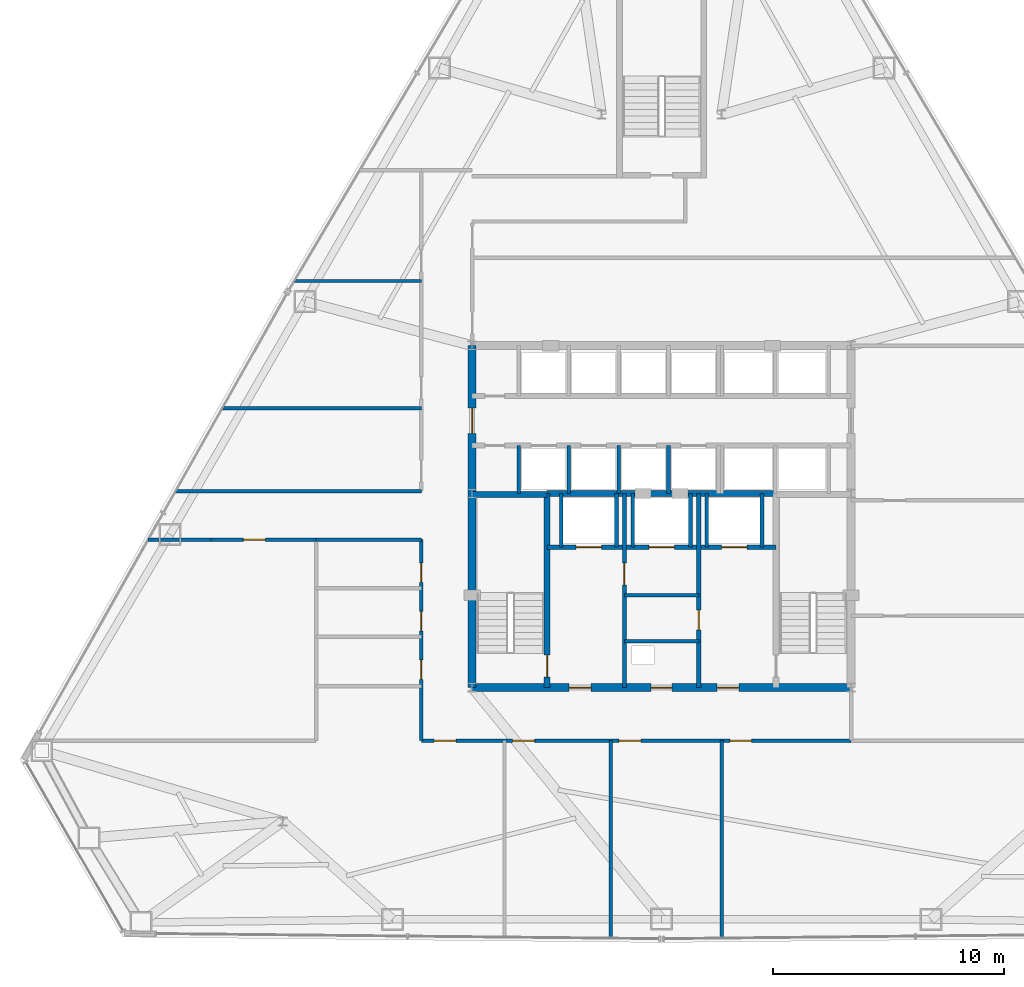
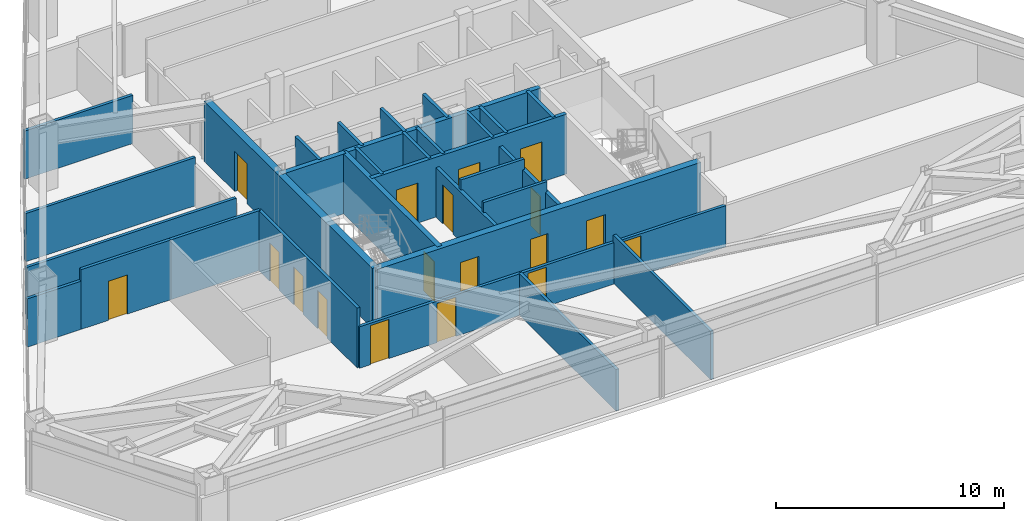
# One storey, part 10 of 13: 30 walls, 18 doors, 18 openings.
"""IFC4 building model written with IfcOpenShell, lengths in metres."""

from ifc_helpers import new_model, si_unit, direction, frame, frame_2d, origin, place, context, subcontext, project, spatial, rectangle, extrude, material, layer, layer_set, type_object, element, fill, save


model = new_model("IFC4")

# Units and contexts
model_context = context("Model", 3, precision=1e-05, world=origin(), true_north=direction((0.0, 1.0)))
body_context = subcontext(model_context, "Body", "Model", "MODEL_VIEW")
ifc_project = project(units=[si_unit("LENGTHUNIT", "METRE"), si_unit("AREAUNIT", "SQUARE_METRE"), si_unit("VOLUMEUNIT", "CUBIC_METRE"), si_unit("PLANEANGLEUNIT", "RADIAN"), si_unit("MASSUNIT", "GRAM", prefix="KILO")], contexts=[model_context])

# Site, building, storey
site_placement = place(None, origin())
site = spatial("IfcSite", under=ifc_project, at=site_placement, CompositionType="ELEMENT")
building_placement = place(site_placement, origin())
building = spatial("IfcBuilding", under=site, at=building_placement, Name="Varakhsha Concourse Tower", CompositionType="ELEMENT")
storey_placement = place(building_placement, frame((0.0, 0.0, 116.0)))
storey = spatial("IfcBuildingStorey", under=building, at=storey_placement, Name="L33", CompositionType="ELEMENT", Elevation=116.0)

# Wall, openings, doors
ifc_material_1 = material(Name="Concrete fc 65 MPa", Category="concrete")
ifc_layer_1 = layer(ifc_material_1, 0.35009765625, Name="WL-CORE-350")
ifc_layer_set_1 = layer_set([ifc_layer_1], Name="Concrete fc 65 MPa")
wall_type_1 = type_object("IfcWallType", Name="WL-CORE-350", PredefinedType="SHEAR", material=ifc_layer_set_1)
wall_1_placement = place(storey_placement, frame((31.800048828125, 16.39990234375, 0.0), z_axis=(0.0, 0.0, 1.0), x_axis=(1.0, 0.0, 0.0)))
wall_1 = element("IfcWall", 1, at=wall_1_placement, inside=storey, type_object=wall_type_1, Name="L33 Wall CWALL-S-L33", PredefinedType="SHEAR", context=body_context, shape_type="SweptSolid", body=[
    extrude(rectangle(XDim=16.39990234375, YDim=0.35009765625, at=frame_2d((8.199951171875, 0.0))), origin(), (0.0, 0.0, 1.0), 3.2099609375),
])
opening_1_placement = place(wall_1_placement, frame((7.75, 0.0, 0.0)))
opening_1 = element("IfcOpeningElement", 2, at=opening_1_placement, cuts=wall_1, Name="Opening DF-06", PredefinedType="OPENING", context=body_context, shape_type="SweptSolid", body=[
    extrude(rectangle(XDim=0.89990234375, YDim=2.10009765625, at=frame_2d((0.449951171875, 1.050048828125))), frame((0.0, 0.18505859375, 0.0), z_axis=(0.0, -1.0, 0.0), x_axis=(1.0, 0.0, 0.0)), (0.0, 0.0, 1.0), 0.3701171875),
])
opening_2_placement = place(wall_1_placement, frame((4.199951171875, 0.0, 0.0)))
opening_2 = element("IfcOpeningElement", 3, at=opening_2_placement, cuts=wall_1, Name="Opening DF-05", PredefinedType="OPENING", context=body_context, shape_type="SweptSolid", body=[
    extrude(rectangle(XDim=0.949951171875, YDim=2.10009765625, at=frame_2d((0.47509765625, 1.050048828125))), frame((0.0, 0.18505859375, 0.0), z_axis=(0.0, -1.0, 0.0), x_axis=(1.0, 0.0, 0.0)), (0.0, 0.0, 1.0), 0.3701171875),
])
opening_3_placement = place(wall_1_placement, frame((10.60009765625, 0.0, 0.0)))
opening_3 = element("IfcOpeningElement", 4, at=opening_3_placement, cuts=wall_1, Name="Opening DF-05", PredefinedType="OPENING", context=body_context, shape_type="SweptSolid", body=[
    extrude(rectangle(XDim=0.949951171875, YDim=2.10009765625, at=frame_2d((0.47509765625, 1.050048828125))), frame((0.0, 0.18505859375, 0.0), z_axis=(0.0, -1.0, 0.0), x_axis=(1.0, 0.0, 0.0)), (0.0, 0.0, 1.0), 0.3701171875),
])
ifc_material_2 = material(Name="Hollow Galvanised Steel Fire Door Assembly", Category="steel")
door_type_1 = type_object("IfcDoorType", Name="DR-FD60-900", OperationType="NOTDEFINED", PredefinedType="DOOR", material=ifc_material_2)
door_1_placement = place(opening_1_placement, origin())
door_1 = element("IfcDoor", 5, at=door_1_placement, inside=storey, type_object=door_type_1, Name="L33 Electrical Riser Door", OperationType="SINGLE_SWING_LEFT", OverallHeight=2.10009765625, OverallWidth=0.89990234375, PredefinedType="DOOR", context=body_context, shape_type="SweptSolid", body=[
    extrude(rectangle(XDim=0.89990234375, YDim=2.10009765625, at=frame_2d((0.449951171875, 1.050048828125))), frame((0.0, 0.02490234375, 0.0), z_axis=(0.0, -1.0, 0.0), x_axis=(1.0, 0.0, 0.0)), (0.0, 0.0, 1.0), 0.050048828125),
])
fill(opening_1, door_1)
door_type_2 = type_object("IfcDoorType", Name="DR-FD60-950", OperationType="NOTDEFINED", PredefinedType="DOOR", material=ifc_material_2)
door_2_placement = place(opening_2_placement, origin())
door_2 = element("IfcDoor", 6, at=door_2_placement, inside=storey, type_object=door_type_2, Name="L33 Firefighting Lobby West Door", OperationType="SINGLE_SWING_RIGHT", OverallHeight=2.10009765625, OverallWidth=0.949951171875, PredefinedType="DOOR", context=body_context, shape_type="SweptSolid", body=[
    extrude(rectangle(XDim=0.949951171875, YDim=2.10009765625, at=frame_2d((0.47509765625, 1.050048828125))), frame((0.0, 0.02490234375, 0.0), z_axis=(0.0, -1.0, 0.0), x_axis=(1.0, 0.0, 0.0)), (0.0, 0.0, 1.0), 0.050048828125),
])
fill(opening_2, door_2)
door_3_placement = place(opening_3_placement, origin())
door_3 = element("IfcDoor", 7, at=door_3_placement, inside=storey, type_object=door_type_2, Name="L33 Firefighting Lobby East Door", OperationType="SINGLE_SWING_LEFT", OverallHeight=2.10009765625, OverallWidth=0.949951171875, PredefinedType="DOOR", context=body_context, shape_type="SweptSolid", body=[
    extrude(rectangle(XDim=0.949951171875, YDim=2.10009765625, at=frame_2d((0.47509765625, 1.050048828125))), frame((0.0, 0.02490234375, 0.0), z_axis=(0.0, -1.0, 0.0), x_axis=(1.0, 0.0, 0.0)), (0.0, 0.0, 1.0), 0.050048828125),
])
fill(opening_3, door_3)

# Wall, opening, door
wall_2_placement = place(storey_placement, frame((31.800048828125, 16.39990234375, 0.0), z_axis=(0.0, 0.0, 1.0), x_axis=(0.0, 1.0, 0.0)))
wall_2 = element("IfcWall", 8, at=wall_2_placement, inside=storey, type_object=wall_type_1, Name="L33 Wall CWALL-W-L33", PredefinedType="SHEAR", context=body_context, shape_type="SweptSolid", body=[
    extrude(rectangle(XDim=14.800048828125, YDim=0.35009765625, at=frame_2d((7.39990234375, 0.0))), origin(), (0.0, 0.0, 1.0), 3.2099609375),
])
opening_4_placement = place(wall_2_placement, frame((11.0, 0.0, 0.0)))
opening_4 = element("IfcOpeningElement", 9, at=opening_4_placement, cuts=wall_2, Name="Opening DL-01", PredefinedType="OPENING", context=body_context, shape_type="SweptSolid", body=[
    extrude(rectangle(XDim=1.10009765625, YDim=2.14990234375, at=frame_2d((0.550048828125, 1.074951171875))), frame((0.0, 0.18505859375, 0.0), z_axis=(0.0, -1.0, 0.0), x_axis=(1.0, 0.0, 0.0)), (0.0, 0.0, 1.0), 0.3701171875),
])
ifc_material_3 = material(Name="Anodised Bronze Architectural Aluminium AA 6063-T6", Category="aluminium")
door_type_3 = type_object("IfcDoorType", Name="DR-LOB-1100", OperationType="NOTDEFINED", PredefinedType="DOOR", material=ifc_material_3)
door_4_placement = place(opening_4_placement, origin())
door_4 = element("IfcDoor", 10, at=door_4_placement, inside=storey, type_object=door_type_3, Name="L33 Lift Lobby West Concourse Door", OperationType="SINGLE_SWING_LEFT", OverallHeight=2.14990234375, OverallWidth=1.10009765625, PredefinedType="DOOR", context=body_context, shape_type="SweptSolid", body=[
    extrude(rectangle(XDim=1.10009765625, YDim=2.14990234375, at=frame_2d((0.550048828125, 1.074951171875))), frame((0.0, 0.02490234375, 0.0), z_axis=(0.0, -1.0, 0.0), x_axis=(1.0, 0.0, 0.0)), (0.0, 0.0, 1.0), 0.050048828125),
])
fill(opening_4, door_4)

ifc_material_4 = material(Name="Fire-Rated Type X Gypsum Partition Assembly", Category="gypsum")
ifc_layer_2 = layer(ifc_material_4, 0.179931640625, Name="WL-FFLOB-180")
ifc_layer_set_2 = layer_set([ifc_layer_2], Name="Fire-Rated Type X Gypsum Partition Assembly")
wall_type_2 = type_object("IfcWallType", Name="WL-FFLOB-180", PredefinedType="PARTITIONING", material=ifc_layer_set_2)
wall_3_placement = place(storey_placement, frame((38.389892578125, 16.39990234375, 0.0), z_axis=(0.0, 0.0, 1.0), x_axis=(0.0, 1.0, 0.0)))
wall_3 = element("IfcWall", 11, at=wall_3_placement, inside=storey, type_object=wall_type_2, Name="L33 Wall FFW-1E-L33", PredefinedType="PARTITIONING", context=body_context, shape_type="SweptSolid", body=[
    extrude(rectangle(XDim=8.400146484375, YDim=0.179931640625, at=frame_2d((4.2001953125, 0.0))), origin(), (0.0, 0.0, 1.0), 2.660888671875),
])
opening_5_placement = place(wall_3_placement, frame((4.449951171875, 0.0, 0.0)))
opening_5 = element("IfcOpeningElement", 12, at=opening_5_placement, cuts=wall_3, Name="Opening DF-05", PredefinedType="OPENING", context=body_context, shape_type="SweptSolid", body=[
    extrude(rectangle(XDim=0.949951171875, YDim=2.10009765625, at=frame_2d((0.47509765625, 1.050048828125))), frame((0.0, 0.099853515625, 0.0), z_axis=(0.0, -1.0, 0.0), x_axis=(1.0, 0.0, 0.0)), (0.0, 0.0, 1.0), 0.199951171875),
])
door_5_placement = place(opening_5_placement, origin())
door_5 = element("IfcDoor", 13, at=door_5_placement, inside=storey, type_object=door_type_2, Name="L33 Service Vestibule Door", OperationType="SINGLE_SWING_RIGHT", OverallHeight=2.10009765625, OverallWidth=0.949951171875, PredefinedType="DOOR", context=body_context, shape_type="SweptSolid", body=[
    extrude(rectangle(XDim=0.949951171875, YDim=2.10009765625, at=frame_2d((0.47509765625, 1.050048828125))), frame((0.0, 0.02490234375, 0.0), z_axis=(0.0, -1.0, 0.0), x_axis=(1.0, 0.0, 0.0)), (0.0, 0.0, 1.0), 0.050048828125),
])
fill(opening_5, door_5)

wall_4_placement = place(storey_placement, frame((41.610107421875, 16.39990234375, 0.0), z_axis=(0.0, 0.0, 1.0), x_axis=(0.0, 1.0, 0.0)))
wall_4 = element("IfcWall", 14, at=wall_4_placement, inside=storey, type_object=wall_type_2, Name="L33 Wall FFW-2W-L33", PredefinedType="PARTITIONING", context=body_context, shape_type="SweptSolid", body=[
    extrude(rectangle(XDim=8.400146484375, YDim=0.179931640625, at=frame_2d((4.2001953125, 0.0))), origin(), (0.0, 0.0, 1.0), 2.660888671875),
])
opening_6_placement = place(wall_4_placement, frame((2.5, 0.0, 0.0)))
opening_6 = element("IfcOpeningElement", 15, at=opening_6_placement, cuts=wall_4, Name="Opening DF-07", PredefinedType="OPENING", context=body_context, shape_type="SweptSolid", body=[
    extrude(rectangle(XDim=0.85009765625, YDim=2.050048828125, at=frame_2d((0.425048828125, 1.02490234375))), frame((0.0, 0.099853515625, 0.0), z_axis=(0.0, -1.0, 0.0), x_axis=(1.0, 0.0, 0.0)), (0.0, 0.0, 1.0), 0.199951171875),
])
door_type_4 = type_object("IfcDoorType", Name="DR-FD60-850", OperationType="NOTDEFINED", PredefinedType="DOOR", material=ifc_material_2)
door_6_placement = place(opening_6_placement, origin())
door_6 = element("IfcDoor", 16, at=door_6_placement, inside=storey, type_object=door_type_4, Name="L33 Telecoms Node Door", OperationType="SINGLE_SWING_LEFT", OverallHeight=2.050048828125, OverallWidth=0.85009765625, PredefinedType="DOOR", context=body_context, shape_type="SweptSolid", body=[
    extrude(rectangle(XDim=0.85009765625, YDim=2.050048828125, at=frame_2d((0.425048828125, 1.02490234375))), frame((0.0, 0.02490234375, 0.0), z_axis=(0.0, -1.0, 0.0), x_axis=(1.0, 0.0, 0.0)), (0.0, 0.0, 1.0), 0.050048828125),
])
fill(opening_6, door_6)

# Walls
ifc_layer_3 = layer(ifc_material_4, 0.14990234375, Name="WL-PART-150")
ifc_layer_set_3 = layer_set([ifc_layer_3], Name="Fire-Rated Type X Gypsum Partition Assembly")
wall_type_3 = type_object("IfcWallType", Name="WL-PART-150", PredefinedType="PARTITIONING", material=ifc_layer_set_3)
for number, where, z_axis, x_axis, name in (
    (17, (38.389892578125, 18.39990234375, 0.0), (0.0, 0.0, 1.0), (1.0, 0.0, 0.0), "L33 Wall RSW-H1-L33"),
    (18, (38.389892578125, 20.39990234375, 0.0), (0.0, 0.0, 1.0), (1.0, 0.0, 0.0), "L33 Wall RSW-H2-L33"),
):
    element("IfcWall", number, at=place(storey_placement, frame(where, z_axis=z_axis, x_axis=x_axis)), inside=storey, type_object=wall_type_3, Name=name, PredefinedType="PARTITIONING", context=body_context, shape_type="SweptSolid", body=[
        extrude(rectangle(XDim=3.22021484375, YDim=0.14990234375, at=frame_2d((1.610107421875, 0.0))), origin(), (0.0, 0.0, 1.0), 3.2099609375),
    ])

# Wall, openings, doors
wall_5_placement = place(storey_placement, frame((29.60009765625, 14.10009765625, 0.0), z_axis=(0.0, 0.0, 1.0), x_axis=(1.0, 0.0, 0.0)))
wall_5 = element("IfcWall", 19, at=wall_5_placement, inside=storey, type_object=wall_type_3, Name="L33 Wall CRW-S-L33", PredefinedType="PARTITIONING", context=body_context, shape_type="SweptSolid", body=[
    extrude(rectangle(XDim=18.599853515625, YDim=0.14990234375, at=frame_2d((9.2998046875, 0.0))), origin(), (0.0, 0.0, 1.0), 2.22509765625),
])
opening_7_placement = place(wall_5_placement, frame((0.550048828125, 0.0, 0.0)))
opening_7 = element("IfcOpeningElement", 20, at=opening_7_placement, cuts=wall_5, Name="Opening DF-05", PredefinedType="OPENING", context=body_context, shape_type="SweptSolid", body=[
    extrude(rectangle(XDim=0.949951171875, YDim=2.10009765625, at=frame_2d((0.47509765625, 1.050048828125))), frame((0.0, 0.0849609375, 0.0), z_axis=(0.0, -1.0, 0.0), x_axis=(1.0, 0.0, 0.0)), (0.0, 0.0, 1.0), 0.169921875),
])
opening_8_placement = place(wall_5_placement, frame((3.949951171875, 0.0, 0.0)))
opening_8 = element("IfcOpeningElement", 21, at=opening_8_placement, cuts=wall_5, Name="Opening DF-05", PredefinedType="OPENING", context=body_context, shape_type="SweptSolid", body=[
    extrude(rectangle(XDim=0.949951171875, YDim=2.10009765625, at=frame_2d((0.47509765625, 1.050048828125))), frame((0.0, 0.0849609375, 0.0), z_axis=(0.0, -1.0, 0.0), x_axis=(1.0, 0.0, 0.0)), (0.0, 0.0, 1.0), 0.169921875),
])
opening_9_placement = place(wall_5_placement, frame((8.550048828125, 0.0, 0.0)))
opening_9 = element("IfcOpeningElement", 22, at=opening_9_placement, cuts=wall_5, Name="Opening DF-05", PredefinedType="OPENING", context=body_context, shape_type="SweptSolid", body=[
    extrude(rectangle(XDim=0.949951171875, YDim=2.10009765625, at=frame_2d((0.47509765625, 1.050048828125))), frame((0.0, 0.0849609375, 0.0), z_axis=(0.0, -1.0, 0.0), x_axis=(1.0, 0.0, 0.0)), (0.0, 0.0, 1.0), 0.169921875),
])
opening_10_placement = place(wall_5_placement, frame((13.35009765625, 0.0, 0.0)))
opening_10 = element("IfcOpeningElement", 23, at=opening_10_placement, cuts=wall_5, Name="Opening DF-05", PredefinedType="OPENING", context=body_context, shape_type="SweptSolid", body=[
    extrude(rectangle(XDim=0.949951171875, YDim=2.10009765625, at=frame_2d((0.47509765625, 1.050048828125))), frame((0.0, 0.0849609375, 0.0), z_axis=(0.0, -1.0, 0.0), x_axis=(1.0, 0.0, 0.0)), (0.0, 0.0, 1.0), 0.169921875),
])
door_7_placement = place(opening_7_placement, origin())
door_7 = element("IfcDoor", 24, at=door_7_placement, inside=storey, type_object=door_type_2, Name="L33 Deposition Conference Room L33-S1 Door", OperationType="SINGLE_SWING_LEFT", OverallHeight=2.10009765625, OverallWidth=0.949951171875, PredefinedType="DOOR", context=body_context, shape_type="SweptSolid", body=[
    extrude(rectangle(XDim=0.949951171875, YDim=2.10009765625, at=frame_2d((0.47509765625, 1.050048828125))), frame((0.0, 0.02490234375, 0.0), z_axis=(0.0, -1.0, 0.0), x_axis=(1.0, 0.0, 0.0)), (0.0, 0.0, 1.0), 0.050048828125),
])
fill(opening_7, door_7)
door_8_placement = place(opening_8_placement, origin())
door_8 = element("IfcDoor", 25, at=door_8_placement, inside=storey, type_object=door_type_2, Name="L33 Senior Partner Chamber L33-S2 Door", OperationType="SINGLE_SWING_RIGHT", OverallHeight=2.10009765625, OverallWidth=0.949951171875, PredefinedType="DOOR", context=body_context, shape_type="SweptSolid", body=[
    extrude(rectangle(XDim=0.949951171875, YDim=2.10009765625, at=frame_2d((0.47509765625, 1.050048828125))), frame((0.0, 0.02490234375, 0.0), z_axis=(0.0, -1.0, 0.0), x_axis=(1.0, 0.0, 0.0)), (0.0, 0.0, 1.0), 0.050048828125),
])
fill(opening_8, door_8)
door_9_placement = place(opening_9_placement, origin())
door_9 = element("IfcDoor", 26, at=door_9_placement, inside=storey, type_object=door_type_2, Name="L33 Senior Partner Chamber L33-S3 Door", OperationType="SINGLE_SWING_LEFT", OverallHeight=2.10009765625, OverallWidth=0.949951171875, PredefinedType="DOOR", context=body_context, shape_type="SweptSolid", body=[
    extrude(rectangle(XDim=0.949951171875, YDim=2.10009765625, at=frame_2d((0.47509765625, 1.050048828125))), frame((0.0, 0.02490234375, 0.0), z_axis=(0.0, -1.0, 0.0), x_axis=(1.0, 0.0, 0.0)), (0.0, 0.0, 1.0), 0.050048828125),
])
fill(opening_9, door_9)
door_10_placement = place(opening_10_placement, origin())
door_10 = element("IfcDoor", 27, at=door_10_placement, inside=storey, type_object=door_type_2, Name="L33 Senior Partner Chamber L33-S4 Door", OperationType="SINGLE_SWING_RIGHT", OverallHeight=2.10009765625, OverallWidth=0.949951171875, PredefinedType="DOOR", context=body_context, shape_type="SweptSolid", body=[
    extrude(rectangle(XDim=0.949951171875, YDim=2.10009765625, at=frame_2d((0.47509765625, 1.050048828125))), frame((0.0, 0.02490234375, 0.0), z_axis=(0.0, -1.0, 0.0), x_axis=(1.0, 0.0, 0.0)), (0.0, 0.0, 1.0), 0.050048828125),
])
fill(opening_10, door_10)

wall_6_placement = place(storey_placement, frame((29.60009765625, 14.10009765625, 0.0), z_axis=(0.0, 0.0, 1.0), x_axis=(0.0, 1.0, 0.0)))
wall_6 = element("IfcWall", 28, at=wall_6_placement, inside=storey, type_object=wall_type_3, Name="L33 Wall CRW-WS-L33", PredefinedType="PARTITIONING", context=body_context, shape_type="SweptSolid", body=[
    extrude(rectangle(XDim=8.699951171875, YDim=0.14990234375, at=frame_2d((4.35009765625, 0.0))), origin(), (0.0, 0.0, 1.0), 3.2099609375),
])
opening_11_placement = place(wall_6_placement, frame((2.64990234375, 0.0, 0.0)))
opening_11 = element("IfcOpeningElement", 29, at=opening_11_placement, cuts=wall_6, Name="Opening DF-07", PredefinedType="OPENING", context=body_context, shape_type="SweptSolid", body=[
    extrude(rectangle(XDim=0.85009765625, YDim=2.050048828125, at=frame_2d((0.425048828125, 1.02490234375))), frame((0.0, 0.0849609375, 0.0), z_axis=(0.0, -1.0, 0.0), x_axis=(1.0, 0.0, 0.0)), (0.0, 0.0, 1.0), 0.169921875),
])
opening_12_placement = place(wall_6_placement, frame((4.75, 0.0, 0.0)))
opening_12 = element("IfcOpeningElement", 30, at=opening_12_placement, cuts=wall_6, Name="Opening DF-07", PredefinedType="OPENING", context=body_context, shape_type="SweptSolid", body=[
    extrude(rectangle(XDim=0.85009765625, YDim=2.050048828125, at=frame_2d((0.425048828125, 1.02490234375))), frame((0.0, 0.0849609375, 0.0), z_axis=(0.0, -1.0, 0.0), x_axis=(1.0, 0.0, 0.0)), (0.0, 0.0, 1.0), 0.169921875),
])
opening_13_placement = place(wall_6_placement, frame((6.85009765625, 0.0, 0.0)))
opening_13 = element("IfcOpeningElement", 31, at=opening_13_placement, cuts=wall_6, Name="Opening DF-07", PredefinedType="OPENING", context=body_context, shape_type="SweptSolid", body=[
    extrude(rectangle(XDim=0.85009765625, YDim=2.050048828125, at=frame_2d((0.425048828125, 1.02490234375))), frame((0.0, 0.0849609375, 0.0), z_axis=(0.0, -1.0, 0.0), x_axis=(1.0, 0.0, 0.0)), (0.0, 0.0, 1.0), 0.169921875),
])
door_11_placement = place(opening_11_placement, origin())
door_11 = element("IfcDoor", 32, at=door_11_placement, inside=storey, type_object=door_type_4, Name="L33 Men Restroom WC Door", OperationType="SINGLE_SWING_LEFT", OverallHeight=2.050048828125, OverallWidth=0.85009765625, PredefinedType="DOOR", context=body_context, shape_type="SweptSolid", body=[
    extrude(rectangle(XDim=0.85009765625, YDim=2.050048828125, at=frame_2d((0.425048828125, 1.02490234375))), frame((0.0, 0.02490234375, 0.0), z_axis=(0.0, -1.0, 0.0), x_axis=(1.0, 0.0, 0.0)), (0.0, 0.0, 1.0), 0.050048828125),
])
fill(opening_11, door_11)
door_12_placement = place(opening_12_placement, origin())
door_12 = element("IfcDoor", 33, at=door_12_placement, inside=storey, type_object=door_type_4, Name="L33 Women Restroom WC Door", OperationType="SINGLE_SWING_LEFT", OverallHeight=2.050048828125, OverallWidth=0.85009765625, PredefinedType="DOOR", context=body_context, shape_type="SweptSolid", body=[
    extrude(rectangle(XDim=0.85009765625, YDim=2.050048828125, at=frame_2d((0.425048828125, 1.02490234375))), frame((0.0, 0.02490234375, 0.0), z_axis=(0.0, -1.0, 0.0), x_axis=(1.0, 0.0, 0.0)), (0.0, 0.0, 1.0), 0.050048828125),
])
fill(opening_12, door_12)
door_13_placement = place(opening_13_placement, origin())
door_13 = element("IfcDoor", 34, at=door_13_placement, inside=storey, type_object=door_type_4, Name="L33 Accessible WC Door", OperationType="SINGLE_SWING_LEFT", OverallHeight=2.050048828125, OverallWidth=0.85009765625, PredefinedType="DOOR", context=body_context, shape_type="SweptSolid", body=[
    extrude(rectangle(XDim=0.85009765625, YDim=2.050048828125, at=frame_2d((0.425048828125, 1.02490234375))), frame((0.0, 0.02490234375, 0.0), z_axis=(0.0, -1.0, 0.0), x_axis=(1.0, 0.0, 0.0)), (0.0, 0.0, 1.0), 0.050048828125),
])
fill(opening_13, door_13)

# Walls
wall_7_placement = place(storey_placement, frame((17.775146484375, 22.800048828125, 0.0), z_axis=(0.0, 0.0, 1.0), x_axis=(1.0, 0.0, 0.0)))
element("IfcWall", 35, at=wall_7_placement, inside=storey, type_object=wall_type_3, Name="L33 Wall CRW-WWS-W-L33", PredefinedType="PARTITIONING", context=body_context, shape_type="SweptSolid", body=[
    extrude(rectangle(XDim=2.724853515625, YDim=0.14990234375, at=frame_2d((1.3623046875, 0.0))), origin(), (0.0, 0.0, 1.0), 2.589111328125),
])
wall_8_placement = place(storey_placement, frame((25.050048828125, 22.800048828125, 0.0), z_axis=(0.0, 0.0, 1.0), x_axis=(1.0, 0.0, 0.0)))
element("IfcWall", 36, at=wall_8_placement, inside=storey, type_object=wall_type_3, Name="L33 Wall CRW-WWS-E-L33", PredefinedType="PARTITIONING", context=body_context, shape_type="SweptSolid", body=[
    extrude(rectangle(XDim=4.550048828125, YDim=0.14990234375, at=frame_2d((2.27490234375, 0.0))), origin(), (0.0, 0.0, 1.0), 3.2099609375),
])
wall_9_placement = place(storey_placement, frame((18.959228515625, 24.89990234375, 0.0), z_axis=(0.0, 0.0, 1.0), x_axis=(1.0, 0.0, 0.0)))
element("IfcWall", 37, at=wall_9_placement, inside=storey, type_object=wall_type_3, Name="L33 Wall CRW-WWN-L33", PredefinedType="PARTITIONING", context=body_context, shape_type="SweptSolid", body=[
    extrude(rectangle(XDim=10.640869140625, YDim=0.14990234375, at=frame_2d((5.3203125, 0.0))), origin(), (0.0, 0.0, 1.0), 2.589111328125),
])
wall_10_placement = place(storey_placement, frame((37.800048828125, 5.54931640625, 0.0), z_axis=(0.0, 0.0, 1.0), x_axis=(0.0, 1.0, 0.0)))
element("IfcWall", 38, at=wall_10_placement, inside=storey, type_object=wall_type_3, Name="L33 Wall ODIV-S2-L33", PredefinedType="PARTITIONING", context=body_context, shape_type="SweptSolid", body=[
    extrude(rectangle(XDim=8.55078125, YDim=0.14990234375, at=frame_2d((4.275390625, 0.0))), origin(), (0.0, 0.0, 1.0), 2.22509765625),
])
wall_11_placement = place(storey_placement, frame((42.60009765625, 5.553466796875, 0.0), z_axis=(0.0, 0.0, 1.0), x_axis=(0.0, 1.0, 0.0)))
element("IfcWall", 39, at=wall_11_placement, inside=storey, type_object=wall_type_3, Name="L33 Wall ODIV-S3-L33", PredefinedType="PARTITIONING", context=body_context, shape_type="SweptSolid", body=[
    extrude(rectangle(XDim=8.546630859375, YDim=0.14990234375, at=frame_2d((4.2734375, 0.0))), origin(), (0.0, 0.0, 1.0), 2.589111328125),
])

# Wall, opening, door
wall_12_placement = place(storey_placement, frame((20.5, 22.800048828125, 0.0), z_axis=(0.0, 0.0, 1.0), x_axis=(1.0, 0.0, 0.0)))
wall_12 = element("IfcWall", 40, at=wall_12_placement, inside=storey, type_object=wall_type_3, Name="L33 Wall CRW-WWS-DOOR-L33", PredefinedType="PARTITIONING", context=body_context, shape_type="SweptSolid", body=[
    extrude(rectangle(XDim=4.550048828125, YDim=0.14990234375, at=frame_2d((2.27490234375, 0.0))), origin(), (0.0, 0.0, 1.0), 3.2099609375),
])
opening_14_placement = place(wall_12_placement, frame((1.39990234375, 0.0, 0.0)))
opening_14 = element("IfcOpeningElement", 41, at=opening_14_placement, cuts=wall_12, Name="Opening DF-05", PredefinedType="OPENING", context=body_context, shape_type="SweptSolid", body=[
    extrude(rectangle(XDim=0.949951171875, YDim=2.10009765625, at=frame_2d((0.47509765625, 1.050048828125))), frame((0.0, 0.0849609375, 0.0), z_axis=(0.0, -1.0, 0.0), x_axis=(1.0, 0.0, 0.0)), (0.0, 0.0, 1.0), 0.169921875),
])
door_14_placement = place(opening_14_placement, origin())
door_14 = element("IfcDoor", 42, at=door_14_placement, inside=storey, type_object=door_type_2, Name="L33 Legal Research Library L33-SW Door", OperationType="SINGLE_SWING_LEFT", OverallHeight=2.10009765625, OverallWidth=0.949951171875, PredefinedType="DOOR", context=body_context, shape_type="SweptSolid", body=[
    extrude(rectangle(XDim=0.949951171875, YDim=2.10009765625, at=frame_2d((0.47509765625, 1.050048828125))), frame((0.0, 0.02490234375, 0.0), z_axis=(0.0, -1.0, 0.0), x_axis=(1.0, 0.0, 0.0)), (0.0, 0.0, 1.0), 0.050048828125),
])
fill(opening_14, door_14)

# Walls
wall_13_placement = place(storey_placement, frame((20.989013671875, 28.5, 0.0), z_axis=(0.0, 0.0, 1.0), x_axis=(1.0, 0.0, 0.0)))
element("IfcWall", 43, at=wall_13_placement, inside=storey, type_object=wall_type_3, Name="L33 Wall ODIV-W1-L33", PredefinedType="PARTITIONING", context=body_context, shape_type="SweptSolid", body=[
    extrude(rectangle(XDim=8.611083984375, YDim=0.14990234375, at=frame_2d((4.3056640625, 0.0))), origin(), (0.0, 0.0, 1.0), 2.589111328125),
])
wall_14_placement = place(storey_placement, frame((24.1025390625, 34.0, 0.0), z_axis=(0.0, 0.0, 1.0), x_axis=(1.0, 0.0, 0.0)))
element("IfcWall", 44, at=wall_14_placement, inside=storey, type_object=wall_type_3, Name="L33 Wall ODIV-W2-L33", PredefinedType="PARTITIONING", context=body_context, shape_type="SweptSolid", body=[
    extrude(rectangle(XDim=5.49755859375, YDim=0.14990234375, at=frame_2d((2.748779296875, 0.0))), origin(), (0.0, 0.0, 1.0), 2.589111328125),
])

# Wall, openings, doors
ifc_layer_4 = layer(ifc_material_4, 0.199951171875, Name="WL-SHAFT-220")
ifc_layer_set_4 = layer_set([ifc_layer_4], Name="Fire-Rated Type X Gypsum Partition Assembly")
wall_type_4 = type_object("IfcWallType", Name="WL-SHAFT-220", PredefinedType="SOLIDWALL", material=ifc_layer_set_4)
wall_15_placement = place(storey_placement, frame((35.044921875, 22.47998046875, 0.0), z_axis=(0.0, 0.0, 1.0), x_axis=(1.0, 0.0, 0.0)))
wall_15 = element("IfcWall", 45, at=wall_15_placement, inside=storey, type_object=wall_type_4, Name="L33 Wall FFW-NH-L33", PredefinedType="SOLIDWALL", context=body_context, shape_type="SweptSolid", body=[
    extrude(rectangle(XDim=9.91015625, YDim=0.199951171875, at=frame_2d((4.955078125, 0.0))), origin(), (0.0, 0.0, 1.0), 3.2099609375),
])
opening_15_placement = place(wall_15_placement, frame((1.2548828125, 0.0, 0.0)))
opening_15 = element("IfcOpeningElement", 46, at=opening_15_placement, cuts=wall_15, Name="Opening LD-FFL-1", PredefinedType="OPENING", context=body_context, shape_type="SweptSolid", body=[
    extrude(rectangle(XDim=1.10009765625, YDim=2.14990234375, at=frame_2d((0.550048828125, 1.074951171875))), frame((0.0, 0.10986328125, 0.0), z_axis=(0.0, -1.0, 0.0), x_axis=(1.0, 0.0, 0.0)), (0.0, 0.0, 1.0), 0.219970703125),
])
opening_16_placement = place(wall_15_placement, frame((7.554931640625, 0.0, 0.0)))
opening_16 = element("IfcOpeningElement", 47, at=opening_16_placement, cuts=wall_15, Name="Opening LD-FFL-2", PredefinedType="OPENING", context=body_context, shape_type="SweptSolid", body=[
    extrude(rectangle(XDim=1.10009765625, YDim=2.14990234375, at=frame_2d((0.550048828125, 1.074951171875))), frame((0.0, 0.10986328125, 0.0), z_axis=(0.0, -1.0, 0.0), x_axis=(1.0, 0.0, 0.0)), (0.0, 0.0, 1.0), 0.219970703125),
])
opening_17_placement = place(wall_15_placement, frame((4.405029296875, 0.0, 0.0)))
opening_17 = element("IfcOpeningElement", 48, at=opening_17_placement, cuts=wall_15, Name="Opening LD-SVL-1", PredefinedType="OPENING", context=body_context, shape_type="SweptSolid", body=[
    extrude(rectangle(XDim=1.10009765625, YDim=2.14990234375, at=frame_2d((0.550048828125, 1.074951171875))), frame((0.0, 0.10986328125, 0.0), z_axis=(0.0, -1.0, 0.0), x_axis=(1.0, 0.0, 0.0)), (0.0, 0.0, 1.0), 0.219970703125),
])
ifc_material_5 = material(Name="Brushed Austenitic Stainless Steel AISI 316", Category="steel")
door_type_5 = type_object("IfcDoorType", Name="DR-LD-1100", OperationType="DOUBLE_DOOR_SLIDING", PredefinedType="DOOR", material=ifc_material_5)
door_15_placement = place(opening_15_placement, origin())
door_15 = element("IfcDoor", 49, at=door_15_placement, inside=storey, type_object=door_type_5, Name="Lift Landing Door FFL-1 L33", OperationType="DOUBLE_DOOR_SLIDING", OverallHeight=2.14990234375, OverallWidth=1.10009765625, PredefinedType="DOOR", context=body_context, shape_type="SweptSolid", body=[
    extrude(rectangle(XDim=1.10009765625, YDim=2.14990234375, at=frame_2d((0.550048828125, 1.074951171875))), frame((0.0, 0.02490234375, 0.0), z_axis=(0.0, -1.0, 0.0), x_axis=(1.0, 0.0, 0.0)), (0.0, 0.0, 1.0), 0.050048828125),
])
fill(opening_15, door_15)
door_16_placement = place(opening_16_placement, origin())
door_16 = element("IfcDoor", 50, at=door_16_placement, inside=storey, type_object=door_type_5, Name="Lift Landing Door FFL-2 L33", OperationType="DOUBLE_DOOR_SLIDING", OverallHeight=2.14990234375, OverallWidth=1.10009765625, PredefinedType="DOOR", context=body_context, shape_type="SweptSolid", body=[
    extrude(rectangle(XDim=1.10009765625, YDim=2.14990234375, at=frame_2d((0.550048828125, 1.074951171875))), frame((0.0, 0.02490234375, 0.0), z_axis=(0.0, -1.0, 0.0), x_axis=(1.0, 0.0, 0.0)), (0.0, 0.0, 1.0), 0.050048828125),
])
fill(opening_16, door_16)
door_17_placement = place(opening_17_placement, origin())
door_17 = element("IfcDoor", 51, at=door_17_placement, inside=storey, type_object=door_type_5, Name="Lift Landing Door SVL-1 L33", OperationType="DOUBLE_DOOR_SLIDING", OverallHeight=2.14990234375, OverallWidth=1.10009765625, PredefinedType="DOOR", context=body_context, shape_type="SweptSolid", body=[
    extrude(rectangle(XDim=1.10009765625, YDim=2.14990234375, at=frame_2d((0.550048828125, 1.074951171875))), frame((0.0, 0.02490234375, 0.0), z_axis=(0.0, -1.0, 0.0), x_axis=(1.0, 0.0, 0.0)), (0.0, 0.0, 1.0), 0.050048828125),
])
fill(opening_17, door_17)

# Walls
for number, where, z_axis, x_axis, name in (
    (52, (35.64990234375, 22.47998046875, 0.0), (0.0, 0.0, 1.0), (0.0, 1.0, 0.0), "L33 Wall SHW-FFL-1-W-L33"),
    (53, (38.050048828125, 22.47998046875, 0.0), (0.0, 0.0, 1.0), (0.0, 1.0, 0.0), "L33 Wall SHW-FFL-1-E-L33"),
    (54, (41.949951171875, 22.47998046875, 0.0), (0.0, 0.0, 1.0), (0.0, 1.0, 0.0), "L33 Wall SHW-FFL-2-W-L33"),
    (55, (44.35009765625, 22.47998046875, 0.0), (0.0, 0.0, 1.0), (0.0, 1.0, 0.0), "L33 Wall SHW-FFL-2-E-L33"),
    (56, (38.75, 22.47998046875, 0.0), (0.0, 0.0, 1.0), (0.0, 1.0, 0.0), "L33 Wall SHW-SVL-1-W-L33"),
    (57, (41.25, 22.47998046875, 0.0), (0.0, 0.0, 1.0), (0.0, 1.0, 0.0), "L33 Wall SHW-SVL-1-E-L33"),
):
    element("IfcWall", number, at=place(storey_placement, frame(where, z_axis=z_axis, x_axis=x_axis)), inside=storey, type_object=wall_type_4, Name=name, PredefinedType="SOLIDWALL", context=body_context, shape_type="SweptSolid", body=[
        extrude(rectangle(XDim=2.320068359375, YDim=0.159912109375, at=frame_2d((1.16015625, 0.0))), origin(), (0.0, 0.0, 1.0), 3.2099609375),
    ])
for number, where, z_axis, x_axis, name in (
    (58, (33.820068359375, 24.800048828125, 0.0), (0.0, 0.0, 1.0), (0.0, 1.0, 0.0), "L33 Wall WBOH-E2-L33"),
    (59, (35.97998046875, 24.800048828125, 0.0), (0.0, 0.0, 1.0), (0.0, 1.0, 0.0), "L33 Wall SHW-LF-P05-E-L33"),
    (60, (38.139892578125, 24.800048828125, 0.0), (0.0, 0.0, 1.0), (0.0, 1.0, 0.0), "L33 Wall SHW-LF-P06-E-L33"),
    (61, (40.300048828125, 24.800048828125, 0.0), (0.0, 0.0, 1.0), (0.0, 1.0, 0.0), "L33 Wall SHW-LF-P07-E-L33"),
):
    element("IfcWall", number, at=place(storey_placement, frame(where, z_axis=z_axis, x_axis=x_axis)), inside=storey, type_object=wall_type_4, Name=name, PredefinedType="SOLIDWALL", context=body_context, shape_type="SweptSolid", body=[
        extrude(rectangle(XDim=2.079833984375, YDim=0.159912109375, at=frame_2d((1.0400390625, 0.0))), origin(), (0.0, 0.0, 1.0), 3.2099609375),
    ])

# Wall, opening, door
ifc_material_6 = material(Name="Concrete fc 45 MPa", Category="concrete")
ifc_layer_5 = layer(ifc_material_6, 0.25, Name="WL-STAIR-250")
ifc_layer_set_5 = layer_set([ifc_layer_5], Name="Concrete fc 45 MPa")
wall_type_5 = type_object("IfcWallType", Name="WL-STAIR-250", PredefinedType="SHEAR", material=ifc_layer_set_5)
wall_16_placement = place(storey_placement, frame((35.044921875, 16.39990234375, 0.0), z_axis=(0.0, 0.0, 1.0), x_axis=(0.0, 1.0, 0.0)))
wall_16 = element("IfcWall", 62, at=wall_16_placement, inside=storey, type_object=wall_type_5, Name="L33 Wall SWALL-ST1-E-L33", PredefinedType="SHEAR", context=body_context, shape_type="SweptSolid", body=[
    extrude(rectangle(XDim=8.400146484375, YDim=0.25, at=frame_2d((4.2001953125, 0.0))), origin(), (0.0, 0.0, 1.0), 3.2099609375),
])
opening_18_placement = place(wall_16_placement, frame((0.449951171875, 0.0, 0.0)))
opening_18 = element("IfcOpeningElement", 63, at=opening_18_placement, cuts=wall_16, Name="Opening DF-03", PredefinedType="OPENING", context=body_context, shape_type="SweptSolid", body=[
    extrude(rectangle(XDim=0.949951171875, YDim=2.10009765625, at=frame_2d((0.47509765625, 1.050048828125))), frame((0.0, 0.135009765625, 0.0), z_axis=(0.0, -1.0, 0.0), x_axis=(1.0, 0.0, 0.0)), (0.0, 0.0, 1.0), 0.27001953125),
])
door_type_6 = type_object("IfcDoorType", Name="DR-FD90-950", OperationType="NOTDEFINED", PredefinedType="DOOR", material=ifc_material_2)
door_18_placement = place(opening_18_placement, origin())
door_18 = element("IfcDoor", 64, at=door_18_placement, inside=storey, type_object=door_type_6, Name="L33 Stair ST1 Fire Door", OperationType="SINGLE_SWING_LEFT", OverallHeight=2.10009765625, OverallWidth=0.949951171875, PredefinedType="DOOR", context=body_context, shape_type="SweptSolid", body=[
    extrude(rectangle(XDim=0.949951171875, YDim=2.10009765625, at=frame_2d((0.47509765625, 1.050048828125))), frame((0.0, 0.02490234375, 0.0), z_axis=(0.0, -1.0, 0.0), x_axis=(1.0, 0.0, 0.0)), (0.0, 0.0, 1.0), 0.050048828125),
])
fill(opening_18, door_18)

# Walls
wall_17_placement = place(storey_placement, frame((31.800048828125, 24.7548828125, 0.0), z_axis=(0.0, 0.0, 1.0), x_axis=(1.0, 0.0, 0.0)))
element("IfcWall", 65, at=wall_17_placement, inside=storey, type_object=wall_type_5, Name="L33 Wall SWALL-ST1-N-L33", PredefinedType="SHEAR", context=body_context, shape_type="SweptSolid", body=[
    extrude(rectangle(XDim=3.244873046875, YDim=0.25, at=frame_2d((1.62255859375, 0.0))), origin(), (0.0, 0.0, 1.0), 3.2099609375),
])
wall_18_placement = place(storey_placement, frame((35.044921875, 24.800048828125, 0.0), z_axis=(0.0, 0.0, 1.0), x_axis=(1.0, 0.0, 0.0)))
element("IfcWall", 66, at=wall_18_placement, inside=storey, type_object=wall_type_5, Name="L33 Wall SWALL-MID-H-L33", PredefinedType="SHEAR", context=body_context, shape_type="SweptSolid", body=[
    extrude(rectangle(XDim=9.91015625, YDim=0.25, at=frame_2d((4.955078125, 0.0))), origin(), (0.0, 0.0, 1.0), 3.2099609375),
])

save(model, "model.ifc")
